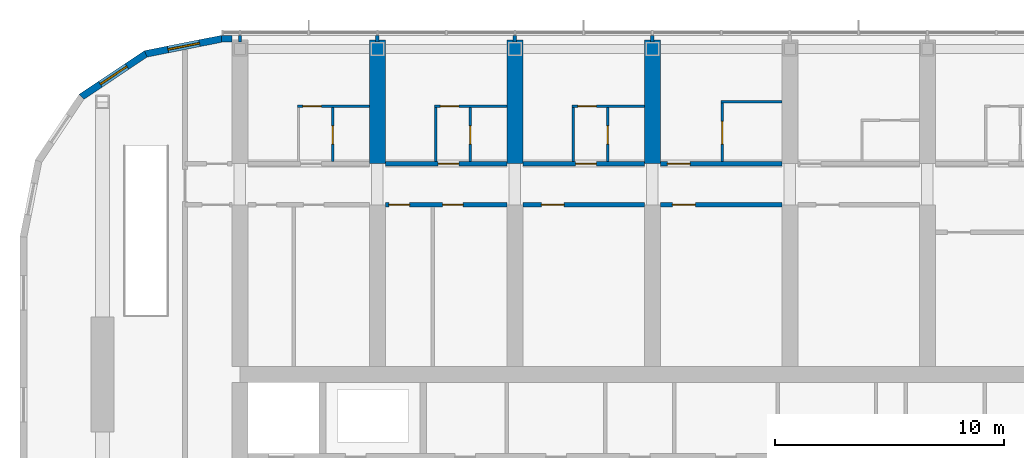
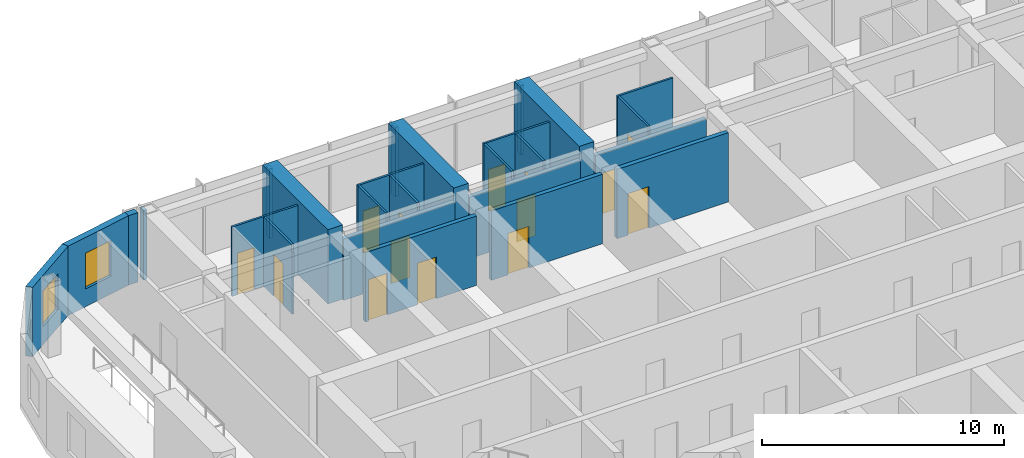
# One storey, part 16 of 23: 26 walls, 14 doors, 2 windows, 16 openings.
"""IFC4 building model written with IfcOpenShell, lengths in metres."""

from ifc_helpers import new_model, si_unit, direction, frame, frame_2d, origin, place, context, subcontext, project, spatial, polyline, rectangle, outline, extrude, material, layer, layer_set, type_object, element, fill, save


model = new_model("IFC4")

# Units and contexts
model_context = context("Model", 3, precision=1e-05, world=origin(), true_north=direction((0.0, 1.0)))
body_context = subcontext(model_context, "Body", "Model", "MODEL_VIEW")
ifc_project = project(units=[si_unit("LENGTHUNIT", "METRE"), si_unit("AREAUNIT", "SQUARE_METRE"), si_unit("VOLUMEUNIT", "CUBIC_METRE"), si_unit("PLANEANGLEUNIT", "RADIAN"), si_unit("MASSUNIT", "GRAM", prefix="KILO")], contexts=[model_context])

# Site, building, storey
site_placement = place(None, origin())
site = spatial("IfcSite", under=ifc_project, at=site_placement, CompositionType="ELEMENT")
building_placement = place(site_placement, origin())
building = spatial("IfcBuilding", under=site, at=building_placement, Name="Orbita Commons", CompositionType="ELEMENT")
storey_placement = place(building_placement, frame((0.0, 0.0, 250.300048828125)))
storey = spatial("IfcBuildingStorey", under=building, at=storey_placement, Name="L62", CompositionType="ELEMENT", Elevation=250.300048828125)

# Wall, opening, door
ifc_material_1 = material(Name="Concrete blockwork", Category="masonry")
ifc_layer_1 = layer(ifc_material_1, 0.199951171875)
ifc_layer_set_1 = layer_set([ifc_layer_1], Name="Concrete blockwork")
wall_type_1 = type_object("IfcWallType", Name="Corridor wall 200 blockwork", PredefinedType="SOLIDWALL", material=ifc_layer_set_1)
wall_1_placement = place(storey_placement, frame((24.35009765625, 47.39990234375, 0.0), z_axis=(0.0, 0.0, 1.0), x_axis=(1.0, 0.0, 0.0)))
wall_1 = element("IfcWall", 1, at=wall_1_placement, inside=storey, type_object=wall_type_1, Name="Corridor wall 200 blockwork L62", PredefinedType="SOLIDWALL", context=body_context, shape_type="SweptSolid", body=[
    extrude(outline(polyline([(0.0, 0.0), (5.2998046875, 0.0), (5.300048828125, 3.099853515625), (0.0, 3.099853515625), (0.0, 0.0)])), frame((0.0, 0.10009765625, 0.0), z_axis=(0.0, -1.0, 0.0), x_axis=(1.0, 0.0, 0.0)), (0.0, 0.0, 1.0), 0.199951171875),
])
opening_1_placement = place(wall_1_placement, frame((2.300048828125, 0.0, 0.0)))
opening_1 = element("IfcOpeningElement", 2, at=opening_1_placement, cuts=wall_1, Name="Opening D11", PredefinedType="OPENING", context=body_context, shape_type="SweptSolid", body=[
    extrude(rectangle(XDim=0.89990234375, YDim=2.10009765625, at=frame_2d((0.449951171875, 1.050048828125))), frame((0.0, 0.10986328125, 0.0), z_axis=(0.0, -1.0, 0.0), x_axis=(1.0, 0.0, 0.0)), (0.0, 0.0, 1.0), 0.219970703125),
])
ifc_material_2 = material(Name="Steel-faced fire door leaf", Category="steel")
door_type_1 = type_object("IfcDoorType", Name="Corridor door 20 min 900x2100", OperationType="SINGLE_SWING_LEFT", PredefinedType="DOOR", material=ifc_material_2)
door_1_placement = place(opening_1_placement, origin())
door_1 = element("IfcDoor", 3, at=door_1_placement, inside=storey, type_object=door_type_1, Name="Studio flat L62-N02 entrance door", OperationType="SINGLE_SWING_LEFT", OverallHeight=2.10009765625, OverallWidth=0.89990234375, PredefinedType="DOOR", context=body_context, shape_type="SweptSolid", body=[
    extrude(rectangle(XDim=0.89990234375, YDim=2.10009765625, at=frame_2d((0.449951171875, 1.050048828125))), frame((0.0, 0.02490234375, 0.0), z_axis=(0.0, -1.0, 0.0), x_axis=(1.0, 0.0, 0.0)), (0.0, 0.0, 1.0), 0.050048828125),
])
fill(opening_1, door_1)

wall_2_placement = place(storey_placement, frame((30.35009765625, 47.39990234375, 0.0), z_axis=(0.0, 0.0, 1.0), x_axis=(1.0, 0.0, 0.0)))
wall_2 = element("IfcWall", 4, at=wall_2_placement, inside=storey, type_object=wall_type_1, Name="Corridor wall 200 blockwork L62", PredefinedType="SOLIDWALL", context=body_context, shape_type="SweptSolid", body=[
    extrude(outline(polyline([(0.0, 0.0), (5.2998046875, 0.0), (5.300048828125, 3.099853515625), (0.0, 3.099853515625), (0.0, 0.0)])), frame((0.0, 0.10009765625, 0.0), z_axis=(0.0, -1.0, 0.0), x_axis=(1.0, 0.0, 0.0)), (0.0, 0.0, 1.0), 0.199951171875),
])
opening_2_placement = place(wall_2_placement, frame((2.300048828125, 0.0, 0.0)))
opening_2 = element("IfcOpeningElement", 5, at=opening_2_placement, cuts=wall_2, Name="Opening D11", PredefinedType="OPENING", context=body_context, shape_type="SweptSolid", body=[
    extrude(rectangle(XDim=0.89990234375, YDim=2.10009765625, at=frame_2d((0.449951171875, 1.050048828125))), frame((0.0, 0.10986328125, 0.0), z_axis=(0.0, -1.0, 0.0), x_axis=(1.0, 0.0, 0.0)), (0.0, 0.0, 1.0), 0.219970703125),
])
door_2_placement = place(opening_2_placement, origin())
door_2 = element("IfcDoor", 6, at=door_2_placement, inside=storey, type_object=door_type_1, Name="Studio flat L62-N04 entrance door", OperationType="SINGLE_SWING_LEFT", OverallHeight=2.10009765625, OverallWidth=0.89990234375, PredefinedType="DOOR", context=body_context, shape_type="SweptSolid", body=[
    extrude(rectangle(XDim=0.89990234375, YDim=2.10009765625, at=frame_2d((0.449951171875, 1.050048828125))), frame((0.0, 0.02490234375, 0.0), z_axis=(0.0, -1.0, 0.0), x_axis=(1.0, 0.0, 0.0)), (0.0, 0.0, 1.0), 0.050048828125),
])
fill(opening_2, door_2)

wall_3_placement = place(storey_placement, frame((36.35009765625, 47.39990234375, 0.0), z_axis=(0.0, 0.0, 1.0), x_axis=(1.0, 0.0, 0.0)))
wall_3 = element("IfcWall", 7, at=wall_3_placement, inside=storey, type_object=wall_type_1, Name="Corridor wall 200 blockwork L62", PredefinedType="SOLIDWALL", context=body_context, shape_type="SweptSolid", body=[
    extrude(outline(polyline([(0.0, 0.0), (5.2998046875, 0.0), (5.300048828125, 3.099853515625), (0.0, 3.099853515625), (0.0, 0.0)])), frame((0.0, 0.10009765625, 0.0), z_axis=(0.0, -1.0, 0.0), x_axis=(1.0, 0.0, 0.0)), (0.0, 0.0, 1.0), 0.199951171875),
])
opening_3_placement = place(wall_3_placement, frame((0.300048828125, 0.0, 0.0)))
opening_3 = element("IfcOpeningElement", 8, at=opening_3_placement, cuts=wall_3, Name="Opening D06", PredefinedType="OPENING", context=body_context, shape_type="SweptSolid", body=[
    extrude(rectangle(XDim=1.0, YDim=2.10009765625, at=frame_2d((0.5, 1.050048828125))), frame((0.0, 0.10986328125, 0.0), z_axis=(0.0, -1.0, 0.0), x_axis=(1.0, 0.0, 0.0)), (0.0, 0.0, 1.0), 0.219970703125),
])
ifc_material_3 = material(Name="Steel-faced fire door leaf", Category="steel")
door_type_2 = type_object("IfcDoorType", Name="Corridor door 20 min 1000x2100", OperationType="SINGLE_SWING_LEFT", PredefinedType="DOOR", material=ifc_material_3)
door_3_placement = place(opening_3_placement, origin())
door_3 = element("IfcDoor", 9, at=door_3_placement, inside=storey, type_object=door_type_2, Name="Accessible bedroom L62-N06 door", OperationType="SINGLE_SWING_LEFT", OverallHeight=2.10009765625, OverallWidth=1.0, PredefinedType="DOOR", context=body_context, shape_type="SweptSolid", body=[
    extrude(rectangle(XDim=1.0, YDim=2.10009765625, at=frame_2d((0.5, 1.050048828125))), frame((0.0, 0.02490234375, 0.0), z_axis=(0.0, -1.0, 0.0), x_axis=(1.0, 0.0, 0.0)), (0.0, 0.0, 1.0), 0.050048828125),
])
fill(opening_3, door_3)

# Wall, openings, doors
ifc_material_4 = material(Name="Hollow concrete block 200", Category="concrete")
ifc_layer_2 = layer(ifc_material_4, 0.199951171875)
ifc_layer_set_2 = layer_set([ifc_layer_2], Name="Hollow concrete block 200")
wall_type_2 = type_object("IfcWallType", Name="Corridor wall 200 hollow concrete block", PredefinedType="SOLIDWALL", material=ifc_layer_set_2)
wall_4_placement = place(storey_placement, frame((24.35009765625, 45.60009765625, 0.0), z_axis=(0.0, 0.0, 1.0), x_axis=(1.0, 0.0, 0.0)))
wall_4 = element("IfcWall", 10, at=wall_4_placement, inside=storey, type_object=wall_type_2, Name="Corridor wall 200 hollow concrete block L62", PredefinedType="SOLIDWALL", context=body_context, shape_type="SweptSolid", body=[
    extrude(rectangle(XDim=5.2998046875, YDim=0.199951171875, at=frame_2d((2.64990234375, 0.0))), origin(), (0.0, 0.0, 1.0), 3.5),
])
opening_4_placement = place(wall_4_placement, frame((0.14990234375, 0.0, 0.0)))
opening_4 = element("IfcOpeningElement", 11, at=opening_4_placement, cuts=wall_4, Name="Opening D11", PredefinedType="OPENING", context=body_context, shape_type="SweptSolid", body=[
    extrude(rectangle(XDim=0.89990234375, YDim=2.10009765625, at=frame_2d((0.449951171875, 1.050048828125))), frame((0.0, 0.10986328125, 0.0), z_axis=(0.0, -1.0, 0.0), x_axis=(1.0, 0.0, 0.0)), (0.0, 0.0, 1.0), 0.219970703125),
])
opening_5_placement = place(wall_4_placement, frame((2.489990234375, 0.0, 0.0)))
opening_5 = element("IfcOpeningElement", 12, at=opening_5_placement, cuts=wall_4, Name="Opening D11", PredefinedType="OPENING", context=body_context, shape_type="SweptSolid", body=[
    extrude(rectangle(XDim=0.89990234375, YDim=2.10009765625, at=frame_2d((0.449951171875, 1.050048828125))), frame((0.0, 0.10986328125, 0.0), z_axis=(0.0, -1.0, 0.0), x_axis=(1.0, 0.0, 0.0)), (0.0, 0.0, 1.0), 0.219970703125),
])
door_4_placement = place(opening_4_placement, origin())
door_4 = element("IfcDoor", 13, at=door_4_placement, inside=storey, type_object=door_type_1, Name="Battery and UPS room L62-BDN24n door", OperationType="SINGLE_SWING_LEFT", OverallHeight=2.10009765625, OverallWidth=0.89990234375, PredefinedType="DOOR", context=body_context, shape_type="SweptSolid", body=[
    extrude(rectangle(XDim=0.89990234375, YDim=2.10009765625, at=frame_2d((0.449951171875, 1.050048828125))), frame((0.0, 0.02490234375, 0.0), z_axis=(0.0, -1.0, 0.0), x_axis=(1.0, 0.0, 0.0)), (0.0, 0.0, 1.0), 0.050048828125),
])
fill(opening_4, door_4)
door_5_placement = place(opening_5_placement, origin())
door_5 = element("IfcDoor", 14, at=door_5_placement, inside=storey, type_object=door_type_1, Name="Cleaners store L62-BDN24 door", OperationType="SINGLE_SWING_LEFT", OverallHeight=2.10009765625, OverallWidth=0.89990234375, PredefinedType="DOOR", context=body_context, shape_type="SweptSolid", body=[
    extrude(rectangle(XDim=0.89990234375, YDim=2.10009765625, at=frame_2d((0.449951171875, 1.050048828125))), frame((0.0, 0.02490234375, 0.0), z_axis=(0.0, -1.0, 0.0), x_axis=(1.0, 0.0, 0.0)), (0.0, 0.0, 1.0), 0.050048828125),
])
fill(opening_5, door_5)

# Wall, opening, door
wall_5_placement = place(storey_placement, frame((30.35009765625, 45.60009765625, 0.0), z_axis=(0.0, 0.0, 1.0), x_axis=(1.0, 0.0, 0.0)))
wall_5 = element("IfcWall", 15, at=wall_5_placement, inside=storey, type_object=wall_type_2, Name="Corridor wall 200 hollow concrete block L62", PredefinedType="SOLIDWALL", context=body_context, shape_type="SweptSolid", body=[
    extrude(rectangle(XDim=5.2998046875, YDim=0.199951171875, at=frame_2d((2.64990234375, 0.0))), origin(), (0.0, 0.0, 1.0), 3.5),
])
opening_6_placement = place(wall_5_placement, frame((0.800048828125, 0.0, 0.0)))
opening_6 = element("IfcOpeningElement", 16, at=opening_6_placement, cuts=wall_5, Name="Opening D06", PredefinedType="OPENING", context=body_context, shape_type="SweptSolid", body=[
    extrude(rectangle(XDim=1.0, YDim=2.10009765625, at=frame_2d((0.5, 1.050048828125))), frame((0.0, 0.10986328125, 0.0), z_axis=(0.0, -1.0, 0.0), x_axis=(1.0, 0.0, 0.0)), (0.0, 0.0, 1.0), 0.219970703125),
])
door_6_placement = place(opening_6_placement, origin())
door_6 = element("IfcDoor", 17, at=door_6_placement, inside=storey, type_object=door_type_2, Name="Linen store L62-BDN30 door", OperationType="SINGLE_SWING_LEFT", OverallHeight=2.10009765625, OverallWidth=1.0, PredefinedType="DOOR", context=body_context, shape_type="SweptSolid", body=[
    extrude(rectangle(XDim=1.0, YDim=2.10009765625, at=frame_2d((0.5, 1.050048828125))), frame((0.0, 0.02490234375, 0.0), z_axis=(0.0, -1.0, 0.0), x_axis=(1.0, 0.0, 0.0)), (0.0, 0.0, 1.0), 0.050048828125),
])
fill(opening_6, door_6)

wall_6_placement = place(storey_placement, frame((36.35009765625, 45.60009765625, 0.0), z_axis=(0.0, 0.0, 1.0), x_axis=(1.0, 0.0, 0.0)))
wall_6 = element("IfcWall", 18, at=wall_6_placement, inside=storey, type_object=wall_type_2, Name="Corridor wall 200 hollow concrete block L62", PredefinedType="SOLIDWALL", context=body_context, shape_type="SweptSolid", body=[
    extrude(rectangle(XDim=5.2998046875, YDim=0.199951171875, at=frame_2d((2.64990234375, 0.0))), origin(), (0.0, 0.0, 1.0), 3.5),
])
opening_7_placement = place(wall_6_placement, frame((0.52490234375, 0.0, 0.0)))
opening_7 = element("IfcOpeningElement", 19, at=opening_7_placement, cuts=wall_6, Name="Opening D06", PredefinedType="OPENING", context=body_context, shape_type="SweptSolid", body=[
    extrude(rectangle(XDim=1.0, YDim=2.10009765625, at=frame_2d((0.5, 1.050048828125))), frame((0.0, 0.10986328125, 0.0), z_axis=(0.0, -1.0, 0.0), x_axis=(1.0, 0.0, 0.0)), (0.0, 0.0, 1.0), 0.219970703125),
])
door_7_placement = place(opening_7_placement, origin())
door_7 = element("IfcDoor", 20, at=door_7_placement, inside=storey, type_object=door_type_2, Name="Print and copy room L62-BDN36 door", OperationType="SINGLE_SWING_LEFT", OverallHeight=2.10009765625, OverallWidth=1.0, PredefinedType="DOOR", context=body_context, shape_type="SweptSolid", body=[
    extrude(rectangle(XDim=1.0, YDim=2.10009765625, at=frame_2d((0.5, 1.050048828125))), frame((0.0, 0.02490234375, 0.0), z_axis=(0.0, -1.0, 0.0), x_axis=(1.0, 0.0, 0.0)), (0.0, 0.0, 1.0), 0.050048828125),
])
fill(opening_7, door_7)

# Walls
ifc_material_5 = material(Name="Concrete C50/60", Category="concrete")
ifc_layer_3 = layer(ifc_material_5, 0.699951171875)
ifc_layer_set_3 = layer_set([ifc_layer_3], Name="Concrete C50/60")
wall_type_3 = type_object("IfcWallType", Name="Cross wall 700 C50/60", PredefinedType="SHEAR", material=ifc_layer_set_3)
for number, where, z_axis, x_axis, name in (
    (21, (24.0, 47.39990234375, 0.0), (0.0, 0.0, 1.0), (0.0, 1.0, 0.0), "Cross wall 5 north outer L62"),
    (22, (30.0, 47.39990234375, 0.0), (0.0, 0.0, 1.0), (0.0, 1.0, 0.0), "Cross wall 6 north outer L62"),
    (23, (36.0, 47.39990234375, 0.0), (0.0, 0.0, 1.0), (0.0, 1.0, 0.0), "Cross wall 7 north outer L62"),
):
    element("IfcWall", number, at=place(storey_placement, frame(where, z_axis=z_axis, x_axis=x_axis)), inside=storey, type_object=wall_type_3, Name=name, PredefinedType="SHEAR", context=body_context, shape_type="SweptSolid", body=[
        extrude(rectangle(XDim=5.400146484375, YDim=0.699951171875, at=frame_2d((2.7001953125, 0.0))), origin(), (0.0, 0.0, 1.0), 3.75),
    ])

# Wall, opening, door
ifc_material_6 = material(Name="Moisture-resistant plasterboard on steel studs", Category="steel")
ifc_layer_4 = layer(ifc_material_6, 0.10009765625)
ifc_layer_set_4 = layer_set([ifc_layer_4], Name="Moisture-resistant plasterboard on steel studs")
wall_type_4 = type_object("IfcWallType", Name="En-suite partition 100", PredefinedType="PARTITIONING", material=ifc_layer_set_4)
wall_7_placement = place(storey_placement, frame((20.5, 49.89990234375, 0.0), z_axis=(0.0, 0.0, 1.0), x_axis=(1.0, 0.0, 0.0)))
wall_7 = element("IfcWall", 24, at=wall_7_placement, inside=storey, type_object=wall_type_4, Name="En-suite partition 100 L62", PredefinedType="PARTITIONING", context=body_context, shape_type="SweptSolid", body=[
    extrude(rectangle(XDim=3.14990234375, YDim=0.10009765625, at=frame_2d((1.574951171875, 0.0))), origin(), (0.0, 0.0, 1.0), 3.5),
])
opening_8_placement = place(wall_7_placement, frame((0.25, 0.0, 0.0)))
opening_8 = element("IfcOpeningElement", 25, at=opening_8_placement, cuts=wall_7, Name="Opening D16", PredefinedType="OPENING", context=body_context, shape_type="SweptSolid", body=[
    extrude(rectangle(XDim=0.800048828125, YDim=2.10009765625, at=frame_2d((0.39990234375, 1.050048828125))), frame((0.0, 0.06005859375, 0.0), z_axis=(0.0, -1.0, 0.0), x_axis=(1.0, 0.0, 0.0)), (0.0, 0.0, 1.0), 0.1201171875),
])
ifc_material_7 = material(Name="Laminated timber door leaf", Category="wood")
door_type_3 = type_object("IfcDoorType", Name="En-suite door 800x2100", OperationType="SINGLE_SWING_RIGHT", PredefinedType="DOOR", material=ifc_material_7)
door_8_placement = place(opening_8_placement, origin())
door_8 = element("IfcDoor", 26, at=door_8_placement, inside=storey, type_object=door_type_3, Name="Studio flat L62-N00 door", OperationType="SINGLE_SWING_RIGHT", OverallHeight=2.10009765625, OverallWidth=0.800048828125, PredefinedType="DOOR", context=body_context, shape_type="SweptSolid", body=[
    extrude(rectangle(XDim=0.800048828125, YDim=2.10009765625, at=frame_2d((0.39990234375, 1.050048828125))), frame((0.0, 0.02490234375, 0.0), z_axis=(0.0, -1.0, 0.0), x_axis=(1.0, 0.0, 0.0)), (0.0, 0.0, 1.0), 0.050048828125),
])
fill(opening_8, door_8)

wall_8_placement = place(storey_placement, frame((22.050048828125, 49.85009765625, 0.0), z_axis=(0.0, 0.0, 1.0), x_axis=(0.0, -1.0, 0.0)))
wall_8 = element("IfcWall", 27, at=wall_8_placement, inside=storey, type_object=wall_type_4, Name="En-suite partition 100 L62", PredefinedType="PARTITIONING", context=body_context, shape_type="SweptSolid", body=[
    extrude(outline(polyline([(0.0, 0.0), (2.35009765625, 0.0), (2.35009765625, 3.099853515625), (2.302001953125, 3.099853515625), (2.300048828125, 3.5), (0.0, 3.5), (0.0, 0.0)])), frame((0.0, 0.050048828125, 0.0), z_axis=(0.0, -1.0, 0.0), x_axis=(1.0, 0.0, 0.0)), (0.0, 0.0, 1.0), 0.10009765625),
])
opening_9_placement = place(wall_8_placement, frame((0.800048828125, 0.0, 0.0)))
opening_9 = element("IfcOpeningElement", 28, at=opening_9_placement, cuts=wall_8, Name="Opening D16", PredefinedType="OPENING", context=body_context, shape_type="SweptSolid", body=[
    extrude(rectangle(XDim=0.800048828125, YDim=2.10009765625, at=frame_2d((0.39990234375, 1.050048828125))), frame((0.0, 0.06005859375, 0.0), z_axis=(0.0, -1.0, 0.0), x_axis=(1.0, 0.0, 0.0)), (0.0, 0.0, 1.0), 0.1201171875),
])
door_9_placement = place(opening_9_placement, origin())
door_9 = element("IfcDoor", 29, at=door_9_placement, inside=storey, type_object=door_type_3, Name="Studio flat shower room L62-N00 door", OperationType="SINGLE_SWING_RIGHT", OverallHeight=2.10009765625, OverallWidth=0.800048828125, PredefinedType="DOOR", context=body_context, shape_type="SweptSolid", body=[
    extrude(rectangle(XDim=0.800048828125, YDim=2.10009765625, at=frame_2d((0.39990234375, 1.050048828125))), frame((0.0, 0.02490234375, 0.0), z_axis=(0.0, -1.0, 0.0), x_axis=(1.0, 0.0, 0.0)), (0.0, 0.0, 1.0), 0.050048828125),
])
fill(opening_9, door_9)

wall_9_placement = place(storey_placement, frame((26.5, 49.89990234375, 0.0), z_axis=(0.0, 0.0, 1.0), x_axis=(1.0, 0.0, 0.0)))
wall_9 = element("IfcWall", 30, at=wall_9_placement, inside=storey, type_object=wall_type_4, Name="En-suite partition 100 L62", PredefinedType="PARTITIONING", context=body_context, shape_type="SweptSolid", body=[
    extrude(rectangle(XDim=3.14990234375, YDim=0.10009765625, at=frame_2d((1.574951171875, 0.0))), origin(), (0.0, 0.0, 1.0), 3.5),
])
opening_10_placement = place(wall_9_placement, frame((0.25, 0.0, 0.0)))
opening_10 = element("IfcOpeningElement", 31, at=opening_10_placement, cuts=wall_9, Name="Opening D16", PredefinedType="OPENING", context=body_context, shape_type="SweptSolid", body=[
    extrude(rectangle(XDim=0.800048828125, YDim=2.10009765625, at=frame_2d((0.39990234375, 1.050048828125))), frame((0.0, 0.06005859375, 0.0), z_axis=(0.0, -1.0, 0.0), x_axis=(1.0, 0.0, 0.0)), (0.0, 0.0, 1.0), 0.1201171875),
])
door_10_placement = place(opening_10_placement, origin())
door_10 = element("IfcDoor", 32, at=door_10_placement, inside=storey, type_object=door_type_3, Name="Studio flat L62-N02 door", OperationType="SINGLE_SWING_RIGHT", OverallHeight=2.10009765625, OverallWidth=0.800048828125, PredefinedType="DOOR", context=body_context, shape_type="SweptSolid", body=[
    extrude(rectangle(XDim=0.800048828125, YDim=2.10009765625, at=frame_2d((0.39990234375, 1.050048828125))), frame((0.0, 0.02490234375, 0.0), z_axis=(0.0, -1.0, 0.0), x_axis=(1.0, 0.0, 0.0)), (0.0, 0.0, 1.0), 0.050048828125),
])
fill(opening_10, door_10)

# Wall
wall_10_placement = place(storey_placement, frame((26.550048828125, 49.85009765625, 0.0), z_axis=(0.0, 0.0, 1.0), x_axis=(0.0, -1.0, 0.0)))
element("IfcWall", 33, at=wall_10_placement, inside=storey, type_object=wall_type_4, Name="En-suite partition 100 L62", PredefinedType="PARTITIONING", context=body_context, shape_type="SweptSolid", body=[
    extrude(outline(polyline([(0.0, 0.0), (2.35009765625, 0.0), (2.35009765625, 3.099853515625), (2.302001953125, 3.099853515625), (2.300048828125, 3.5), (0.0, 3.5), (0.0, 0.0)])), frame((0.0, 0.050048828125, 0.0), z_axis=(0.0, -1.0, 0.0), x_axis=(1.0, 0.0, 0.0)), (0.0, 0.0, 1.0), 0.10009765625),
])

# Wall, opening, door
wall_11_placement = place(storey_placement, frame((28.050048828125, 49.85009765625, 0.0), z_axis=(0.0, 0.0, 1.0), x_axis=(0.0, -1.0, 0.0)))
wall_11 = element("IfcWall", 34, at=wall_11_placement, inside=storey, type_object=wall_type_4, Name="En-suite partition 100 L62", PredefinedType="PARTITIONING", context=body_context, shape_type="SweptSolid", body=[
    extrude(outline(polyline([(0.0, 0.0), (2.35009765625, 0.0), (2.35009765625, 3.099853515625), (2.302001953125, 3.099853515625), (2.300048828125, 3.5), (0.0, 3.5), (0.0, 0.0)])), frame((0.0, 0.050048828125, 0.0), z_axis=(0.0, -1.0, 0.0), x_axis=(1.0, 0.0, 0.0)), (0.0, 0.0, 1.0), 0.10009765625),
])
opening_11_placement = place(wall_11_placement, frame((0.800048828125, 0.0, 0.0)))
opening_11 = element("IfcOpeningElement", 35, at=opening_11_placement, cuts=wall_11, Name="Opening D16", PredefinedType="OPENING", context=body_context, shape_type="SweptSolid", body=[
    extrude(rectangle(XDim=0.800048828125, YDim=2.10009765625, at=frame_2d((0.39990234375, 1.050048828125))), frame((0.0, 0.06005859375, 0.0), z_axis=(0.0, -1.0, 0.0), x_axis=(1.0, 0.0, 0.0)), (0.0, 0.0, 1.0), 0.1201171875),
])
door_11_placement = place(opening_11_placement, origin())
door_11 = element("IfcDoor", 36, at=door_11_placement, inside=storey, type_object=door_type_3, Name="Studio flat shower room L62-N02 door", OperationType="SINGLE_SWING_RIGHT", OverallHeight=2.10009765625, OverallWidth=0.800048828125, PredefinedType="DOOR", context=body_context, shape_type="SweptSolid", body=[
    extrude(rectangle(XDim=0.800048828125, YDim=2.10009765625, at=frame_2d((0.39990234375, 1.050048828125))), frame((0.0, 0.02490234375, 0.0), z_axis=(0.0, -1.0, 0.0), x_axis=(1.0, 0.0, 0.0)), (0.0, 0.0, 1.0), 0.050048828125),
])
fill(opening_11, door_11)

wall_12_placement = place(storey_placement, frame((32.5, 49.89990234375, 0.0), z_axis=(0.0, 0.0, 1.0), x_axis=(1.0, 0.0, 0.0)))
wall_12 = element("IfcWall", 37, at=wall_12_placement, inside=storey, type_object=wall_type_4, Name="En-suite partition 100 L62", PredefinedType="PARTITIONING", context=body_context, shape_type="SweptSolid", body=[
    extrude(rectangle(XDim=3.14990234375, YDim=0.10009765625, at=frame_2d((1.574951171875, 0.0))), origin(), (0.0, 0.0, 1.0), 3.5),
])
opening_12_placement = place(wall_12_placement, frame((0.25, 0.0, 0.0)))
opening_12 = element("IfcOpeningElement", 38, at=opening_12_placement, cuts=wall_12, Name="Opening D16", PredefinedType="OPENING", context=body_context, shape_type="SweptSolid", body=[
    extrude(rectangle(XDim=0.800048828125, YDim=2.10009765625, at=frame_2d((0.39990234375, 1.050048828125))), frame((0.0, 0.06005859375, 0.0), z_axis=(0.0, -1.0, 0.0), x_axis=(1.0, 0.0, 0.0)), (0.0, 0.0, 1.0), 0.1201171875),
])
door_12_placement = place(opening_12_placement, origin())
door_12 = element("IfcDoor", 39, at=door_12_placement, inside=storey, type_object=door_type_3, Name="Studio flat L62-N04 door", OperationType="SINGLE_SWING_RIGHT", OverallHeight=2.10009765625, OverallWidth=0.800048828125, PredefinedType="DOOR", context=body_context, shape_type="SweptSolid", body=[
    extrude(rectangle(XDim=0.800048828125, YDim=2.10009765625, at=frame_2d((0.39990234375, 1.050048828125))), frame((0.0, 0.02490234375, 0.0), z_axis=(0.0, -1.0, 0.0), x_axis=(1.0, 0.0, 0.0)), (0.0, 0.0, 1.0), 0.050048828125),
])
fill(opening_12, door_12)

# Wall
wall_13_placement = place(storey_placement, frame((32.550048828125, 49.85009765625, 0.0), z_axis=(0.0, 0.0, 1.0), x_axis=(0.0, -1.0, 0.0)))
element("IfcWall", 40, at=wall_13_placement, inside=storey, type_object=wall_type_4, Name="En-suite partition 100 L62", PredefinedType="PARTITIONING", context=body_context, shape_type="SweptSolid", body=[
    extrude(outline(polyline([(0.0, 0.0), (2.35009765625, 0.0), (2.35009765625, 3.099853515625), (2.302001953125, 3.099853515625), (2.300048828125, 3.5), (0.0, 3.5), (0.0, 0.0)])), frame((0.0, 0.050048828125, 0.0), z_axis=(0.0, -1.0, 0.0), x_axis=(1.0, 0.0, 0.0)), (0.0, 0.0, 1.0), 0.10009765625),
])

# Wall, opening, door
wall_14_placement = place(storey_placement, frame((34.050048828125, 49.85009765625, 0.0), z_axis=(0.0, 0.0, 1.0), x_axis=(0.0, -1.0, 0.0)))
wall_14 = element("IfcWall", 41, at=wall_14_placement, inside=storey, type_object=wall_type_4, Name="En-suite partition 100 L62", PredefinedType="PARTITIONING", context=body_context, shape_type="SweptSolid", body=[
    extrude(outline(polyline([(0.0, 0.0), (2.35009765625, 0.0), (2.35009765625, 3.099853515625), (2.302001953125, 3.099853515625), (2.300048828125, 3.5), (0.0, 3.5), (0.0, 0.0)])), frame((0.0, 0.050048828125, 0.0), z_axis=(0.0, -1.0, 0.0), x_axis=(1.0, 0.0, 0.0)), (0.0, 0.0, 1.0), 0.10009765625),
])
opening_13_placement = place(wall_14_placement, frame((0.800048828125, 0.0, 0.0)))
opening_13 = element("IfcOpeningElement", 42, at=opening_13_placement, cuts=wall_14, Name="Opening D16", PredefinedType="OPENING", context=body_context, shape_type="SweptSolid", body=[
    extrude(rectangle(XDim=0.800048828125, YDim=2.10009765625, at=frame_2d((0.39990234375, 1.050048828125))), frame((0.0, 0.06005859375, 0.0), z_axis=(0.0, -1.0, 0.0), x_axis=(1.0, 0.0, 0.0)), (0.0, 0.0, 1.0), 0.1201171875),
])
door_13_placement = place(opening_13_placement, origin())
door_13 = element("IfcDoor", 43, at=door_13_placement, inside=storey, type_object=door_type_3, Name="Studio flat shower room L62-N04 door", OperationType="SINGLE_SWING_RIGHT", OverallHeight=2.10009765625, OverallWidth=0.800048828125, PredefinedType="DOOR", context=body_context, shape_type="SweptSolid", body=[
    extrude(rectangle(XDim=0.800048828125, YDim=2.10009765625, at=frame_2d((0.39990234375, 1.050048828125))), frame((0.0, 0.02490234375, 0.0), z_axis=(0.0, -1.0, 0.0), x_axis=(1.0, 0.0, 0.0)), (0.0, 0.0, 1.0), 0.050048828125),
])
fill(opening_13, door_13)

# Wall
wall_15_placement = place(storey_placement, frame((39.0, 50.10009765625, 0.0), z_axis=(0.0, 0.0, 1.0), x_axis=(1.0, 0.0, 0.0)))
element("IfcWall", 44, at=wall_15_placement, inside=storey, type_object=wall_type_4, Name="En-suite partition 100 L62", PredefinedType="PARTITIONING", context=body_context, shape_type="SweptSolid", body=[
    extrude(rectangle(XDim=2.64990234375, YDim=0.10009765625, at=frame_2d((1.324951171875, 0.0))), origin(), (0.0, 0.0, 1.0), 3.5),
])

# Wall, opening, door
wall_16_placement = place(storey_placement, frame((39.050048828125, 50.050048828125, 0.0), z_axis=(0.0, 0.0, 1.0), x_axis=(0.0, -1.0, 0.0)))
wall_16 = element("IfcWall", 45, at=wall_16_placement, inside=storey, type_object=wall_type_4, Name="En-suite partition 100 L62", PredefinedType="PARTITIONING", context=body_context, shape_type="SweptSolid", body=[
    extrude(outline(polyline([(0.0, 0.0), (2.550048828125, 0.0), (2.550048828125, 3.099853515625), (2.501953125, 3.099853515625), (2.5, 3.5), (0.0, 3.5), (0.0, 0.0)])), frame((0.0, 0.050048828125, 0.0), z_axis=(0.0, -1.0, 0.0), x_axis=(1.0, 0.0, 0.0)), (0.0, 0.0, 1.0), 0.10009765625),
])
opening_14_placement = place(wall_16_placement, frame((0.800048828125, 0.0, 0.0)))
opening_14 = element("IfcOpeningElement", 46, at=opening_14_placement, cuts=wall_16, Name="Opening D13", PredefinedType="OPENING", context=body_context, shape_type="SweptSolid", body=[
    extrude(rectangle(XDim=1.0, YDim=2.10009765625, at=frame_2d((0.5, 1.050048828125))), frame((0.0, 0.06005859375, 0.0), z_axis=(0.0, -1.0, 0.0), x_axis=(1.0, 0.0, 0.0)), (0.0, 0.0, 1.0), 0.1201171875),
])
ifc_material_8 = material(Name="Laminated timber door leaf", Category="wood")
door_type_4 = type_object("IfcDoorType", Name="En-suite door 1000x2100", OperationType="SINGLE_SWING_RIGHT", PredefinedType="DOOR", material=ifc_material_8)
door_14_placement = place(opening_14_placement, origin())
door_14 = element("IfcDoor", 47, at=door_14_placement, inside=storey, type_object=door_type_4, Name="Accessible shower room L62-N06 door", OperationType="SINGLE_SWING_RIGHT", OverallHeight=2.10009765625, OverallWidth=1.0, PredefinedType="DOOR", context=body_context, shape_type="SweptSolid", body=[
    extrude(rectangle(XDim=1.0, YDim=2.10009765625, at=frame_2d((0.5, 1.050048828125))), frame((0.0, 0.02490234375, 0.0), z_axis=(0.0, -1.0, 0.0), x_axis=(1.0, 0.0, 0.0)), (0.0, 0.0, 1.0), 0.050048828125),
])
fill(opening_14, door_14)

# Walls
ifc_material_9 = material(Name="Gypsum plasterboard on steel studs", Category="steel")
ifc_layer_5 = layer(ifc_material_9, 0.14990234375)
ifc_layer_set_5 = layer_set([ifc_layer_5], Name="Gypsum plasterboard on steel studs")
wall_type_5 = type_object("IfcWallType", Name="Partition 150 plasterboard", PredefinedType="PARTITIONING", material=ifc_layer_set_5)
for number, where, z_axis, x_axis, name in (
    (48, (18.0, 52.699951171875, 0.0), (0.0, 0.0, 1.0), (0.0, 1.0, 0.0), "Partition 150 plasterboard L62"),
    (49, (24.0, 52.699951171875, 0.0), (0.0, 0.0, 1.0), (0.0, 1.0, 0.0), "Partition 150 plasterboard L62"),
    (50, (30.0, 52.699951171875, 0.0), (0.0, 0.0, 1.0), (0.0, 1.0, 0.0), "Partition 150 plasterboard L62"),
    (51, (36.0, 52.699951171875, 0.0), (0.0, 0.0, 1.0), (0.0, 1.0, 0.0), "Partition 150 plasterboard L62"),
):
    element("IfcWall", number, at=place(storey_placement, frame(where, z_axis=z_axis, x_axis=x_axis)), inside=storey, type_object=wall_type_5, Name=name, PredefinedType="PARTITIONING", context=body_context, shape_type="SweptSolid", body=[
        extrude(rectangle(XDim=0.2900390625, YDim=0.14990234375, at=frame_2d((0.14501953125, 0.0))), origin(), (0.0, 0.0, 1.0), 3.5),
    ])

# Wall, opening, window
ifc_material_10 = material(Name="Precast concrete C40/50, white board-marked finish", Category="concrete")
ifc_layer_6 = layer(ifc_material_10, 0.300048828125)
ifc_layer_set_6 = layer_set([ifc_layer_6], Name="Precast concrete C40/50, white board-marked finish")
wall_type_6 = type_object("IfcWallType", Name="Precast concrete end shield 300", PredefinedType="SOLIDWALL", material=ifc_layer_set_6)
wall_17_placement = place(storey_placement, frame((17.199951171875, 52.85009765625, 0.0), z_axis=(0.0, 0.0, 1.0), x_axis=(-0.98078325777, -0.195100490205, 0.0)))
wall_17 = element("IfcWall", 52, at=wall_17_placement, inside=storey, type_object=wall_type_6, Name="End shield NW chord 1 L62", PredefinedType="SOLIDWALL", context=body_context, shape_type="SweptSolid", body=[
    extrude(outline(polyline([(-0.02978515625, -0.14990234375), (3.40478515625, -0.14990234375), (3.34521484375, 0.14990234375), (0.02978515625, 0.14990234375), (-0.02978515625, -0.14990234375)])), origin(), (0.0, 0.0, 1.0), 3.5),
])
opening_15_placement = place(wall_17_placement, frame((0.987548828125, 0.0, 0.89990234375)))
opening_15 = element("IfcOpeningElement", 53, at=opening_15_placement, cuts=wall_17, Name="Opening W02", PredefinedType="OPENING", context=body_context, shape_type="SweptSolid", body=[
    extrude(rectangle(XDim=1.39990234375, YDim=1.800048828125, at=frame_2d((0.699951171875, 0.89990234375))), frame((0.0, 0.159912109375, 0.0), z_axis=(0.0, -1.0, 0.0), x_axis=(1.0, 0.0, 0.0)), (0.0, 0.0, 1.0), 0.320068359375),
])
ifc_material_11 = material(Name="Aluminium frame, clear double glazing", Category="aluminium")
window_type = type_object("IfcWindowType", Name="Deep-set window 1400x1800", PartitioningType="SINGLE_PANEL", PredefinedType="WINDOW", material=ifc_material_11)
window_1_placement = place(opening_15_placement, origin())
window_1 = element("IfcWindow", 54, at=window_1_placement, inside=storey, type_object=window_type, Name="Window L62-NW0", OverallHeight=1.800048828125, OverallWidth=1.39990234375, PartitioningType="SINGLE_PANEL", PredefinedType="WINDOW", context=body_context, shape_type="SweptSolid", body=[
    extrude(rectangle(XDim=1.39990234375, YDim=1.800048828125, at=frame_2d((0.699951171875, 0.89990234375))), frame((0.0, 0.030029296875, 0.0), z_axis=(0.0, -1.0, 0.0), x_axis=(1.0, 0.0, 0.0)), (0.0, 0.0, 1.0), 0.06005859375),
])
fill(opening_15, window_1)

wall_18_placement = place(storey_placement, frame((13.889892578125, 52.191650390625, 0.0), z_axis=(0.0, 0.0, 1.0), x_axis=(-0.831460037396, -0.555584562613, 0.0)))
wall_18 = element("IfcWall", 55, at=wall_18_placement, inside=storey, type_object=wall_type_6, Name="End shield NW chord 2 L62", PredefinedType="SOLIDWALL", context=body_context, shape_type="SweptSolid", body=[
    extrude(outline(polyline([(-0.02978515625, -0.14990234375), (3.405029296875, -0.14990234375), (3.345458984375, 0.14990234375), (0.02978515625, 0.14990234375), (-0.02978515625, -0.14990234375)])), origin(), (0.0, 0.0, 1.0), 3.5),
])
opening_16_placement = place(wall_18_placement, frame((0.987548828125, 0.0, 0.89990234375)))
opening_16 = element("IfcOpeningElement", 56, at=opening_16_placement, cuts=wall_18, Name="Opening W02", PredefinedType="OPENING", context=body_context, shape_type="SweptSolid", body=[
    extrude(rectangle(XDim=1.39990234375, YDim=1.800048828125, at=frame_2d((0.699951171875, 0.89990234375))), frame((0.0, 0.159912109375, 0.0), z_axis=(0.0, -1.0, 0.0), x_axis=(1.0, 0.0, 0.0)), (0.0, 0.0, 1.0), 0.320068359375),
])
window_2_placement = place(opening_16_placement, origin())
window_2 = element("IfcWindow", 57, at=window_2_placement, inside=storey, type_object=window_type, Name="Window L62-NW1", OverallHeight=1.800048828125, OverallWidth=1.39990234375, PartitioningType="SINGLE_PANEL", PredefinedType="WINDOW", context=body_context, shape_type="SweptSolid", body=[
    extrude(rectangle(XDim=1.39990234375, YDim=1.800048828125, at=frame_2d((0.699951171875, 0.89990234375))), frame((0.0, 0.030029296875, 0.0), z_axis=(0.0, -1.0, 0.0), x_axis=(1.0, 0.0, 0.0)), (0.0, 0.0, 1.0), 0.06005859375),
])
fill(opening_16, window_2)

# Wall
wall_19_placement = place(storey_placement, frame((17.199951171875, 52.85009765625, 0.0), z_axis=(0.0, 0.0, 1.0), x_axis=(1.0, 0.0, 0.0)))
element("IfcWall", 58, at=wall_19_placement, inside=storey, type_object=wall_type_6, Name="End shield NW closer L62", PredefinedType="SOLIDWALL", context=body_context, shape_type="SweptSolid", body=[
    extrude(rectangle(XDim=0.449951171875, YDim=0.300048828125, at=frame_2d((0.22509765625, 0.0))), origin(), (0.0, 0.0, 1.0), 3.5),
])

save(model, "model.ifc")
